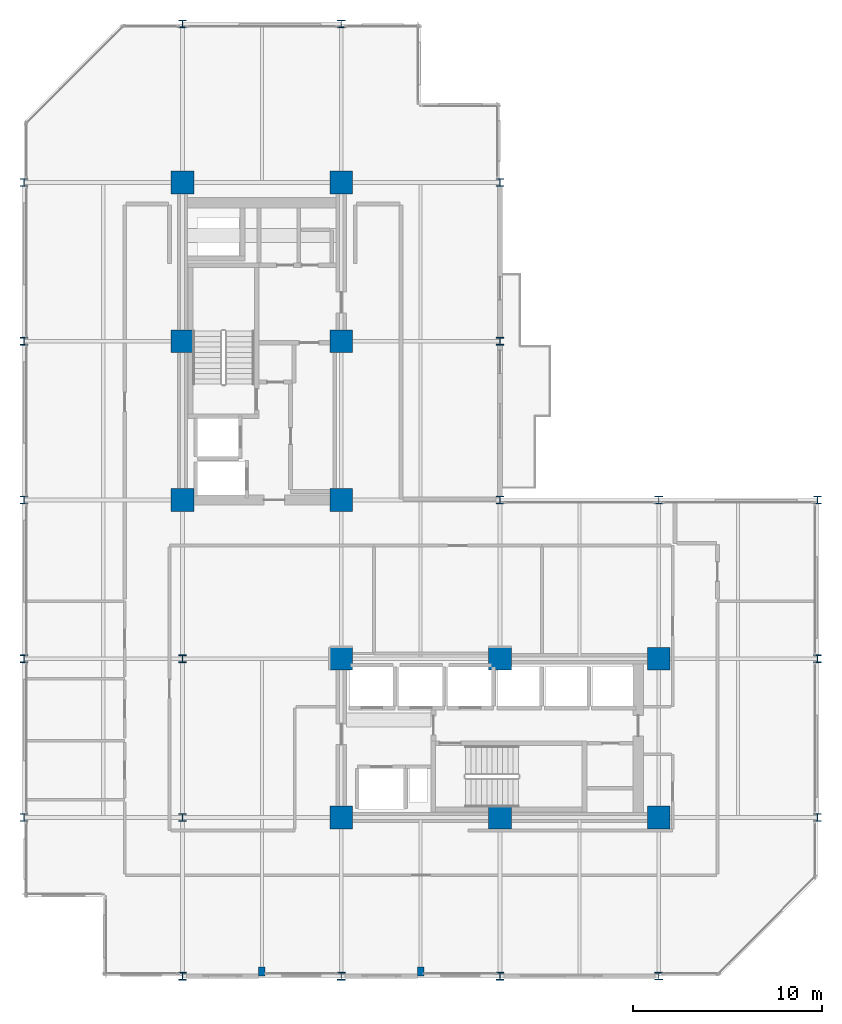
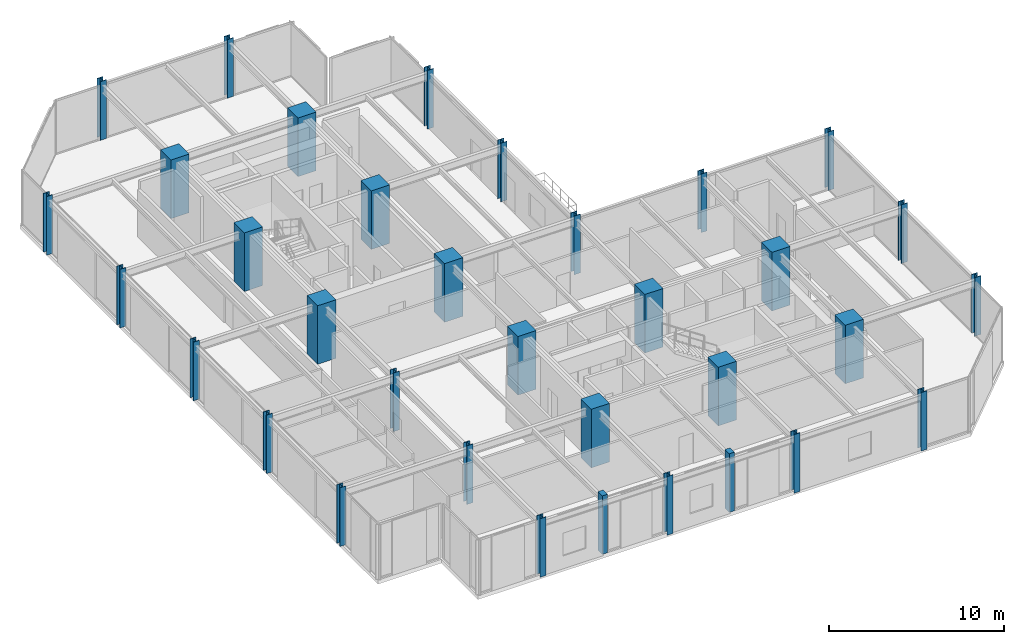
# One storey, part 1 of 29: 34 columns.
"""IFC4 building model written with IfcOpenShell, lengths in metres."""

from ifc_helpers import new_model, si_unit, direction, frame, origin, origin_2d, place, context, subcontext, project, spatial, rectangle, i_section, extrude, material, material_profile, profile_set, type_object, element, save


model = new_model("IFC4")

# Units and contexts
model_context = context("Model", 3, precision=1e-05, world=origin(), true_north=direction((0.0, 1.0)))
body_context = subcontext(model_context, "Body", "Model", "MODEL_VIEW")
ifc_project = project(units=[si_unit("LENGTHUNIT", "METRE"), si_unit("AREAUNIT", "SQUARE_METRE"), si_unit("VOLUMEUNIT", "CUBIC_METRE"), si_unit("PLANEANGLEUNIT", "RADIAN"), si_unit("MASSUNIT", "GRAM", prefix="KILO")], contexts=[model_context])

# Site, building, storey
site_placement = place(None, origin())
site = spatial("IfcSite", under=ifc_project, at=site_placement, CompositionType="ELEMENT")
building_placement = place(site_placement, origin())
building = spatial("IfcBuilding", under=site, at=building_placement, Name="Nerrivon Quay Data Exchange", CompositionType="ELEMENT")
storey_placement = place(building_placement, frame((0.0, 0.0, 150.0)))
storey = spatial("IfcBuildingStorey", under=building, at=storey_placement, Name="L35", CompositionType="ELEMENT", Elevation=150.0)

# Columns
ifc_material_1 = material(Name="Concrete S65 (65 MPa)", Category="concrete")
ifc_material_profile_1 = material_profile(ifc_material_1, rectangle(XDim=1.199951171875, YDim=1.199951171875, at=origin_2d()), Name="RC-COL-1200x1200")
ifc_profile_set_1 = profile_set([ifc_material_profile_1], Name="Concrete S65 (65 MPa)")
column_type_1 = type_object("IfcColumnType", Name="COL-C3-1200", PredefinedType="COLUMN", material=ifc_profile_set_1)
for number, where, z_axis, x_axis, name in (
    (1, (8.39990234375, 25.199951171875, 0.0), (0.0, 0.0, 1.0), (1.0, 0.0, 0.0), "L35 Column (8.4,25.2)"),
    (2, (8.39990234375, 33.60009765625, 0.0), (0.0, 0.0, 1.0), (1.0, 0.0, 0.0), "L35 Column (8.4,33.6)"),
    (3, (8.39990234375, 42.0, 0.0), (0.0, 0.0, 1.0), (1.0, 0.0, 0.0), "L35 Column (8.4,42.0)"),
    (4, (16.800048828125, 8.39990234375, 0.0), (0.0, 0.0, 1.0), (1.0, 0.0, 0.0), "L35 Column (16.8,8.4)"),
    (5, (16.800048828125, 16.800048828125, 0.0), (0.0, 0.0, 1.0), (1.0, 0.0, 0.0), "L35 Column (16.8,16.8)"),
    (6, (16.800048828125, 25.199951171875, 0.0), (0.0, 0.0, 1.0), (1.0, 0.0, 0.0), "L35 Column (16.8,25.2)"),
    (7, (16.800048828125, 33.60009765625, 0.0), (0.0, 0.0, 1.0), (1.0, 0.0, 0.0), "L35 Column (16.8,33.6)"),
    (8, (16.800048828125, 42.0, 0.0), (0.0, 0.0, 1.0), (1.0, 0.0, 0.0), "L35 Column (16.8,42.0)"),
    (9, (25.199951171875, 8.39990234375, 0.0), (0.0, 0.0, 1.0), (1.0, 0.0, 0.0), "L35 Column (25.2,8.4)"),
    (10, (25.199951171875, 16.800048828125, 0.0), (0.0, 0.0, 1.0), (1.0, 0.0, 0.0), "L35 Column (25.2,16.8)"),
    (11, (33.60009765625, 8.39990234375, 0.0), (0.0, 0.0, 1.0), (1.0, 0.0, 0.0), "L35 Column (33.6,8.4)"),
    (12, (33.60009765625, 16.800048828125, 0.0), (0.0, 0.0, 1.0), (1.0, 0.0, 0.0), "L35 Column (33.6,16.8)"),
):
    element("IfcColumn", number, at=place(storey_placement, frame(where, z_axis=z_axis, x_axis=x_axis)), inside=storey, type_object=column_type_1, Name=name, PredefinedType="COLUMN", context=body_context, shape_type="SweptSolid", body=[
        extrude(rectangle(XDim=1.199951171875, YDim=1.199951171875, at=origin_2d()), origin(), (0.0, 0.0, 1.0), 4.10009765625),
    ])
ifc_material_2 = material(Name="Steel Grade 350", Category="steel")
ifc_material_profile_2 = material_profile(ifc_material_2, i_section(OverallWidth=0.39990234375, OverallDepth=0.39990234375, WebThickness=0.02490234375, FlangeThickness=0.0400390625, at=origin_2d()), Name="400WC328")
ifc_profile_set_2 = profile_set([ifc_material_profile_2], Name="Steel Grade 350")
column_type_2 = type_object("IfcColumnType", Name="COL-SC2-400WC", PredefinedType="COLUMN", material=ifc_profile_set_2)
for number, where, z_axis, x_axis, name in (
    (13, (0.0, 8.39990234375, 0.0), (0.0, 0.0, 1.0), (1.0, 0.0, 0.0), "L35 Column (0.0,8.4)"),
    (14, (0.0, 16.800048828125, 0.0), (0.0, 0.0, 1.0), (1.0, 0.0, 0.0), "L35 Column (0.0,16.8)"),
    (15, (0.0, 25.199951171875, 0.0), (0.0, 0.0, 1.0), (1.0, 0.0, 0.0), "L35 Column (0.0,25.2)"),
    (16, (0.0, 33.60009765625, 0.0), (0.0, 0.0, 1.0), (1.0, 0.0, 0.0), "L35 Column (0.0,33.6)"),
    (17, (0.0, 42.0, 0.0), (0.0, 0.0, 1.0), (1.0, 0.0, 0.0), "L35 Column (0.0,42.0)"),
    (18, (8.39990234375, 0.0, 0.0), (0.0, 0.0, 1.0), (1.0, 0.0, 0.0), "L35 Column (8.4,0.0)"),
    (19, (8.39990234375, 8.39990234375, 0.0), (0.0, 0.0, 1.0), (1.0, 0.0, 0.0), "L35 Column (8.4,8.4)"),
    (20, (8.39990234375, 16.800048828125, 0.0), (0.0, 0.0, 1.0), (1.0, 0.0, 0.0), "L35 Column (8.4,16.8)"),
    (21, (8.39990234375, 50.39990234375, 0.0), (0.0, 0.0, 1.0), (1.0, 0.0, 0.0), "L35 Column (8.4,50.4)"),
    (22, (16.800048828125, 0.0, 0.0), (0.0, 0.0, 1.0), (1.0, 0.0, 0.0), "L35 Column (16.8,0.0)"),
    (23, (16.800048828125, 50.39990234375, 0.0), (0.0, 0.0, 1.0), (1.0, 0.0, 0.0), "L35 Column (16.8,50.4)"),
    (24, (25.199951171875, 0.0, 0.0), (0.0, 0.0, 1.0), (1.0, 0.0, 0.0), "L35 Column (25.2,0.0)"),
    (25, (25.199951171875, 25.199951171875, 0.0), (0.0, 0.0, 1.0), (1.0, 0.0, 0.0), "L35 Column (25.2,25.2)"),
    (26, (25.199951171875, 33.60009765625, 0.0), (0.0, 0.0, 1.0), (1.0, 0.0, 0.0), "L35 Column (25.2,33.6)"),
    (27, (25.199951171875, 42.0, 0.0), (0.0, 0.0, 1.0), (1.0, 0.0, 0.0), "L35 Column (25.2,42.0)"),
    (28, (33.60009765625, 0.0, 0.0), (0.0, 0.0, 1.0), (1.0, 0.0, 0.0), "L35 Column (33.6,0.0)"),
    (29, (33.60009765625, 25.199951171875, 0.0), (0.0, 0.0, 1.0), (1.0, 0.0, 0.0), "L35 Column (33.6,25.2)"),
    (30, (42.0, 8.39990234375, 0.0), (0.0, 0.0, 1.0), (1.0, 0.0, 0.0), "L35 Column (42.0,8.4)"),
    (31, (42.0, 16.800048828125, 0.0), (0.0, 0.0, 1.0), (1.0, 0.0, 0.0), "L35 Column (42.0,16.8)"),
    (32, (42.0, 25.199951171875, 0.0), (0.0, 0.0, 1.0), (1.0, 0.0, 0.0), "L35 Column (42.0,25.2)"),
):
    element("IfcColumn", number, at=place(storey_placement, frame(where, z_axis=z_axis, x_axis=x_axis)), inside=storey, type_object=column_type_2, Name=name, PredefinedType="COLUMN", context=body_context, shape_type="SweptSolid", body=[
        extrude(i_section(OverallWidth=0.39990234375, OverallDepth=0.39990234375, WebThickness=0.02490234375, FlangeThickness=0.0400390625, at=origin_2d()), origin(), (0.0, 0.0, 1.0), 4.10009765625),
    ])
ifc_material_3 = material(Name="Concrete N50 (50 MPa)", Category="concrete")
ifc_material_profile_3 = material_profile(ifc_material_3, rectangle(XDim=0.35009765625, YDim=0.5, at=origin_2d()), Name="RC-PIL-500x350")
ifc_profile_set_3 = profile_set([ifc_material_profile_3], Name="Concrete N50 (50 MPa)")
column_type_3 = type_object("IfcColumnType", Name="PIL-P2-500x350", PredefinedType="PILASTER", material=ifc_profile_set_3)
for number, where, z_axis, x_axis, name in (
    (33, (12.60009765625, 0.25, 0.0), (0.0, 0.0, 1.0), (1.0, 0.0, 0.0), "L35 Facade Pilaster (12.6)"),
    (34, (21.0, 0.25, 0.0), (0.0, 0.0, 1.0), (1.0, 0.0, 0.0), "L35 Facade Pilaster (21.0)"),
):
    element("IfcColumn", number, at=place(storey_placement, frame(where, z_axis=z_axis, x_axis=x_axis)), inside=storey, type_object=column_type_3, Name=name, PredefinedType="PILASTER", context=body_context, shape_type="SweptSolid", body=[
        extrude(rectangle(XDim=0.35009765625, YDim=0.5, at=origin_2d()), origin(), (0.0, 0.0, 1.0), 4.10009765625),
    ])

save(model, "model.ifc")
